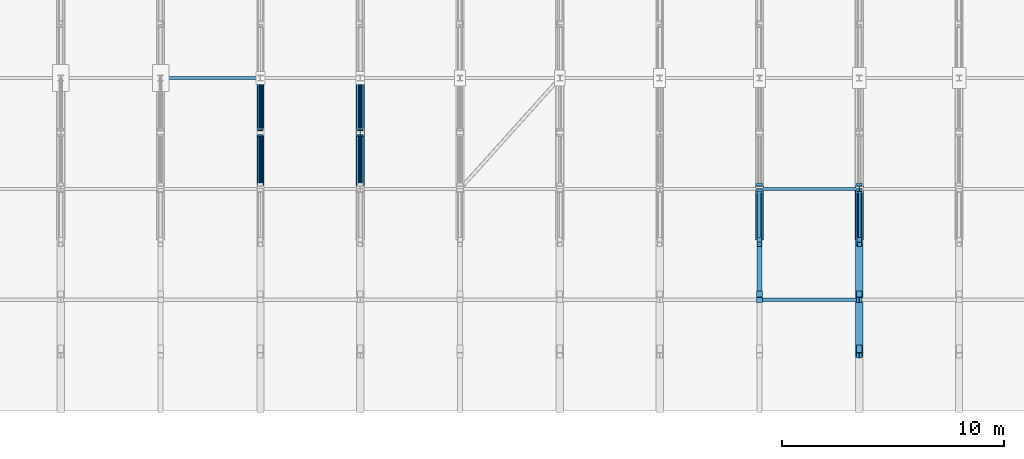
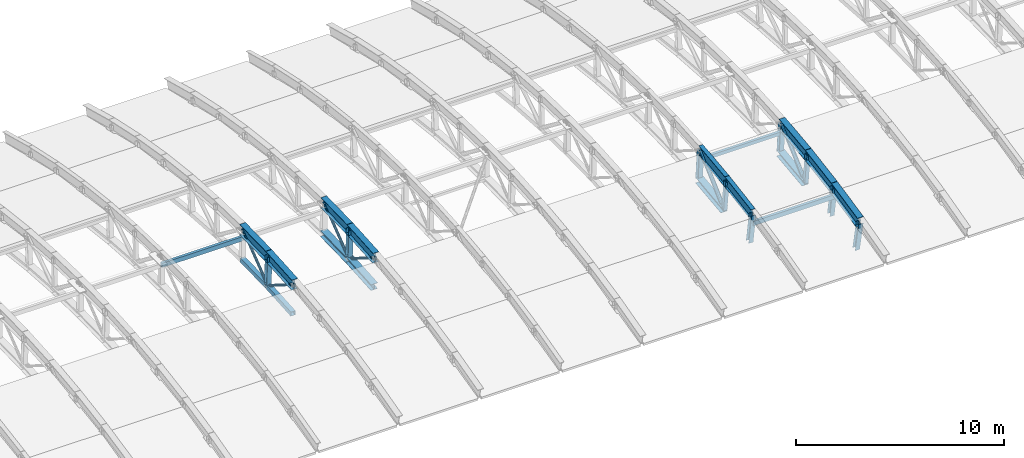
# One storey, part 17 of 53: 24 members, 9 beams.
"""IFC4 building model written with IfcOpenShell, lengths in metres."""

from ifc_helpers import new_model, si_unit, direction, frame, origin, origin_2d, place, context, subcontext, project, spatial, hollow_rectangle, hollow_circle, i_section, extrude, material, material_profile, profile_set, type_object, element, save


model = new_model("IFC4")

# Units and contexts
model_context = context("Model", 3, precision=1e-05, world=origin(), true_north=direction((0.0, 1.0)))
body_context = subcontext(model_context, "Body", "Model", "MODEL_VIEW")
ifc_project = project(units=[si_unit("LENGTHUNIT", "METRE"), si_unit("AREAUNIT", "SQUARE_METRE"), si_unit("VOLUMEUNIT", "CUBIC_METRE"), si_unit("PLANEANGLEUNIT", "RADIAN"), si_unit("MASSUNIT", "GRAM", prefix="KILO")], contexts=[model_context])

# Site, building, storey
site_placement = place(None, origin())
site = spatial("IfcSite", under=ifc_project, at=site_placement, CompositionType="ELEMENT")
building_placement = place(site_placement, origin())
building = spatial("IfcBuilding", under=site, at=building_placement, Name="Cazmaro Siding Exhibition Halls", CompositionType="ELEMENT")
storey_placement = place(building_placement, frame((0.0, 0.0, 21.0)))
storey = spatial("IfcBuildingStorey", under=building, at=storey_placement, Name="L04", CompositionType="ELEMENT", Elevation=21.0)

# Beams
ifc_material_1 = material(Name="Steel ASTM A992 Grade 50", Category="steel")
ifc_material_profile_1 = material_profile(ifc_material_1, i_section(OverallWidth=0.327880859375, OverallDepth=0.626953125, WebThickness=0.01708984375, FlangeThickness=0.028076171875, at=origin_2d()), Name="W24X146")
ifc_profile_set_1 = profile_set([ifc_material_profile_1], Name="Steel ASTM A992 Grade 50")
beam_type_1 = type_object("IfcBeamType", Name="AR-01", PredefinedType="USERDEFINED", material=ifc_profile_set_1)
beam_1_placement = place(storey_placement, frame((99.0, 89.0, 2.26611328125), z_axis=(0.0, 0.997537204184, 0.070139334669), x_axis=(-1.0, 0.0, 0.0)))
element("IfcBeam", 1, at=beam_1_placement, inside=storey, type_object=beam_type_1, Name="Space frame barrel vault arched rib AR-01 BM-0833", ObjectType="ARCHED RIB", PredefinedType="USERDEFINED", context=body_context, shape_type="SweptSolid", body=[
    extrude(i_section(OverallWidth=0.327880859375, OverallDepth=0.626953125, WebThickness=0.01708984375, FlangeThickness=0.028076171875, at=origin_2d()), origin(), (0.0, 0.0, 1.0), 2.506103515625),
])
beam_2_placement = place(storey_placement, frame((99.0, 91.5, 2.44189453125), z_axis=(0.0, 0.999730009742, 0.023235912336), x_axis=(-1.0, 0.0, 0.0)))
element("IfcBeam", 2, at=beam_2_placement, inside=storey, type_object=beam_type_1, Name="Space frame barrel vault arched rib AR-01 BM-0834", ObjectType="ARCHED RIB", PredefinedType="USERDEFINED", context=body_context, shape_type="SweptSolid", body=[
    extrude(i_section(OverallWidth=0.327880859375, OverallDepth=0.626953125, WebThickness=0.01708984375, FlangeThickness=0.028076171875, at=origin_2d()), origin(), (0.0, 0.0, 1.0), 2.500732421875),
])
beam_3_placement = place(storey_placement, frame((126.0, 81.5, 1.02001953125), z_axis=(0.0, 0.977710100146, 0.209959424826), x_axis=(-1.0, 0.0, 0.0)))
element("IfcBeam", 3, at=beam_3_placement, inside=storey, type_object=beam_type_1, Name="Space frame barrel vault arched rib AR-01 BM-0974", ObjectType="ARCHED RIB", PredefinedType="USERDEFINED", context=body_context, shape_type="SweptSolid", body=[
    extrude(i_section(OverallWidth=0.327880859375, OverallDepth=0.626953125, WebThickness=0.01708984375, FlangeThickness=0.028076171875, at=origin_2d()), origin(), (0.0, 0.0, 1.0), 2.556884765625),
])
beam_4_placement = place(storey_placement, frame((126.0, 84.0, 1.556884765625), z_axis=(0.0, 0.98649787474, 0.163774061236), x_axis=(-1.0, 0.0, 0.0)))
element("IfcBeam", 4, at=beam_4_placement, inside=storey, type_object=beam_type_1, Name="Space frame barrel vault arched rib AR-01 BM-0975", ObjectType="ARCHED RIB", PredefinedType="USERDEFINED", context=body_context, shape_type="SweptSolid", body=[
    extrude(i_section(OverallWidth=0.327880859375, OverallDepth=0.626953125, WebThickness=0.01708984375, FlangeThickness=0.028076171875, at=origin_2d()), origin(), (0.0, 0.0, 1.0), 2.5341796875),
])
beam_5_placement = place(storey_placement, frame((126.0, 86.5, 1.971923828125), z_axis=(0.0, 0.993147293786, 0.116869383693), x_axis=(-1.0, 0.0, 0.0)))
element("IfcBeam", 5, at=beam_5_placement, inside=storey, type_object=beam_type_1, Name="Space frame barrel vault arched rib AR-01 BM-0976", ObjectType="ARCHED RIB", PredefinedType="USERDEFINED", context=body_context, shape_type="SweptSolid", body=[
    extrude(i_section(OverallWidth=0.327880859375, OverallDepth=0.626953125, WebThickness=0.01708984375, FlangeThickness=0.028076171875, at=origin_2d()), origin(), (0.0, 0.0, 1.0), 2.517333984375),
])
ifc_material_2 = material(Name="Steel ASTM A992 Grade 50", Category="steel")
ifc_material_profile_2 = material_profile(ifc_material_2, i_section(OverallWidth=0.324951171875, OverallDepth=0.612060546875, WebThickness=0.012939453125, FlangeThickness=0.01904296875, at=origin_2d()), Name="W24X104")
ifc_profile_set_2 = profile_set([ifc_material_profile_2], Name="Steel ASTM A992 Grade 50")
beam_type_2 = type_object("IfcBeamType", Name="AR-02", PredefinedType="USERDEFINED", material=ifc_profile_set_2)
beam_6_placement = place(storey_placement, frame((103.5, 89.0, 2.26611328125), z_axis=(0.0, 0.997537204184, 0.070139334669), x_axis=(-1.0, 0.0, 0.0)))
element("IfcBeam", 6, at=beam_6_placement, inside=storey, type_object=beam_type_2, Name="Space frame barrel vault arched rib AR-02 BM-0857", ObjectType="ARCHED RIB", PredefinedType="USERDEFINED", context=body_context, shape_type="SweptSolid", body=[
    extrude(i_section(OverallWidth=0.324951171875, OverallDepth=0.612060546875, WebThickness=0.012939453125, FlangeThickness=0.01904296875, at=origin_2d()), origin(), (0.0, 0.0, 1.0), 2.506103515625),
])
beam_7_placement = place(storey_placement, frame((103.5, 91.5, 2.44189453125), z_axis=(0.0, 0.999730009742, 0.023235912336), x_axis=(-1.0, 0.0, 0.0)))
element("IfcBeam", 7, at=beam_7_placement, inside=storey, type_object=beam_type_2, Name="Space frame barrel vault arched rib AR-02 BM-0858", ObjectType="ARCHED RIB", PredefinedType="USERDEFINED", context=body_context, shape_type="SweptSolid", body=[
    extrude(i_section(OverallWidth=0.324951171875, OverallDepth=0.612060546875, WebThickness=0.012939453125, FlangeThickness=0.01904296875, at=origin_2d()), origin(), (0.0, 0.0, 1.0), 2.500732421875),
])
ifc_material_3 = material(Name="Steel ASTM A992 Grade 50", Category="steel")
ifc_material_profile_3 = material_profile(ifc_material_3, i_section(OverallWidth=0.22900390625, OverallDepth=0.612060546875, WebThickness=0.011962890625, FlangeThickness=0.02001953125, at=origin_2d()), Name="W24X84")
ifc_profile_set_3 = profile_set([ifc_material_profile_3], Name="Steel ASTM A992 Grade 50")
beam_type_3 = type_object("IfcBeamType", Name="AR-03", PredefinedType="USERDEFINED", material=ifc_profile_set_3)
beam_8_placement = place(storey_placement, frame((121.5, 84.0, 1.556884765625), z_axis=(0.0, 0.98649787474, 0.163774061236), x_axis=(-1.0, 0.0, 0.0)))
element("IfcBeam", 8, at=beam_8_placement, inside=storey, type_object=beam_type_3, Name="Space frame barrel vault arched rib AR-03 BM-0951", ObjectType="ARCHED RIB", PredefinedType="USERDEFINED", context=body_context, shape_type="SweptSolid", body=[
    extrude(i_section(OverallWidth=0.22900390625, OverallDepth=0.612060546875, WebThickness=0.011962890625, FlangeThickness=0.02001953125, at=origin_2d()), origin(), (0.0, 0.0, 1.0), 2.5341796875),
])
beam_9_placement = place(storey_placement, frame((121.5, 86.5, 1.971923828125), z_axis=(0.0, 0.993147293786, 0.116869383693), x_axis=(-1.0, 0.0, 0.0)))
element("IfcBeam", 9, at=beam_9_placement, inside=storey, type_object=beam_type_3, Name="Space frame barrel vault arched rib AR-03 BM-0952", ObjectType="ARCHED RIB", PredefinedType="USERDEFINED", context=body_context, shape_type="SweptSolid", body=[
    extrude(i_section(OverallWidth=0.22900390625, OverallDepth=0.612060546875, WebThickness=0.011962890625, FlangeThickness=0.02001953125, at=origin_2d()), origin(), (0.0, 0.0, 1.0), 2.517333984375),
])

# Members
ifc_material_4 = material(Name="Steel ASTM A500 Grade C", Category="steel")
ifc_material_profile_4 = material_profile(ifc_material_4, hollow_rectangle(XDim=0.152099609375, YDim=0.202880859375, WallThickness=0.011962890625, at=origin_2d()), Name="HSS8X6X1/2")
ifc_profile_set_4 = profile_set([ifc_material_profile_4], Name="Steel ASTM A500 Grade C")
member_type_1 = type_object("IfcMemberType", Name="RP-01", PredefinedType="PURLIN", material=ifc_profile_set_4)
member_1_placement = place(storey_placement, frame((121.5, 89.0, 1.72607421875), z_axis=(1.0, 0.0, 0.0), x_axis=(0.0, 1.0, 0.0)))
element("IfcMember", 10, at=member_1_placement, inside=storey, type_object=member_type_1, Name="Space frame barrel vault purlin RP-01 MEM-2173", PredefinedType="PURLIN", context=body_context, shape_type="SweptSolid", body=[
    extrude(hollow_rectangle(XDim=0.152099609375, YDim=0.202880859375, WallThickness=0.011962890625, at=origin_2d()), origin(), (0.0, 0.0, 1.0), 4.5),
])
ifc_material_5 = material(Name="Steel ASTM A500 Grade C", Category="steel")
ifc_material_profile_5 = material_profile(ifc_material_5, hollow_rectangle(XDim=0.152099609375, YDim=0.25390625, WallThickness=0.011962890625, at=origin_2d()), Name="HSS10X6X1/2")
ifc_profile_set_5 = profile_set([ifc_material_profile_5], Name="Steel ASTM A500 Grade C")
member_type_2 = type_object("IfcMemberType", Name="RP-04", PredefinedType="PURLIN", material=ifc_profile_set_5)
for number, where, z_axis, x_axis, name in (
    (11, (94.5, 94.0, 1.9599609375), (1.0, 0.0, 0.0), (0.0, 1.0, 0.0), "Space frame barrel vault purlin RP-04 MEM-2102"),
    (12, (121.5, 84.0, 1.01708984375), (1.0, 0.0, 0.0), (0.0, 1.0, 0.0), "Space frame barrel vault purlin RP-04 MEM-2172"),
):
    element("IfcMember", number, at=place(storey_placement, frame(where, z_axis=z_axis, x_axis=x_axis)), inside=storey, type_object=member_type_2, Name=name, PredefinedType="PURLIN", context=body_context, shape_type="SweptSolid", body=[
        extrude(hollow_rectangle(XDim=0.152099609375, YDim=0.25390625, WallThickness=0.011962890625, at=origin_2d()), origin(), (0.0, 0.0, 1.0), 4.5),
    ])
ifc_material_6 = material(Name="Steel ASTM A500 Grade C", Category="steel")
ifc_material_profile_6 = material_profile(ifc_material_6, hollow_rectangle(XDim=0.25390625, YDim=0.25390625, WallThickness=0.014892578125, at=origin_2d()), Name="HSS10X10X5/8")
ifc_profile_set_6 = profile_set([ifc_material_profile_6], Name="Steel ASTM A500 Grade C")
member_type_3 = type_object("IfcMemberType", Name="TC-01", PredefinedType="CHORD", material=ifc_profile_set_6)
member_2_placement = place(storey_placement, frame((99.0, 89.139892578125, 0.472900390625), z_axis=(0.0, 0.997529419526, 0.070249962135), x_axis=(-1.0, 0.0, 0.0)))
element("IfcMember", 13, at=member_2_placement, inside=storey, type_object=member_type_3, Name="Space frame barrel vault bottom chord TC-01 MEM-0825", PredefinedType="CHORD", context=body_context, shape_type="SweptSolid", body=[
    extrude(hollow_rectangle(XDim=0.25390625, YDim=0.25390625, WallThickness=0.014892578125, at=origin_2d()), origin(), (0.0, 0.0, 1.0), 2.436279296875),
])
member_3_placement = place(storey_placement, frame((99.0, 91.570068359375, 0.64404296875), z_axis=(0.0, 0.99973541783, 0.023002050707), x_axis=(-1.0, 0.0, 0.0)))
element("IfcMember", 14, at=member_3_placement, inside=storey, type_object=member_type_3, Name="Space frame barrel vault bottom chord TC-01 MEM-0827", PredefinedType="CHORD", context=body_context, shape_type="SweptSolid", body=[
    extrude(hollow_rectangle(XDim=0.25390625, YDim=0.25390625, WallThickness=0.014892578125, at=origin_2d()), origin(), (0.0, 0.0, 1.0), 2.4306640625),
])
ifc_material_7 = material(Name="Steel ASTM A992 Grade 50", Category="steel")
ifc_material_profile_7 = material_profile(ifc_material_7, i_section(OverallWidth=0.37109375, OverallDepth=0.364013671875, WebThickness=0.012939453125, FlangeThickness=0.02197265625, at=origin_2d()), Name="W14X109")
ifc_profile_set_7 = profile_set([ifc_material_profile_7], Name="Steel ASTM A992 Grade 50")
member_type_4 = type_object("IfcMemberType", Name="TC-06", PredefinedType="CHORD", material=ifc_profile_set_7)
member_4_placement = place(storey_placement, frame((103.5, 89.139892578125, 0.472900390625), z_axis=(0.0, 0.997529419526, 0.070249962135), x_axis=(-1.0, 0.0, 0.0)))
element("IfcMember", 15, at=member_4_placement, inside=storey, type_object=member_type_4, Name="Space frame barrel vault bottom chord TC-06 MEM-0896", PredefinedType="CHORD", context=body_context, shape_type="SweptSolid", body=[
    extrude(i_section(OverallWidth=0.37109375, OverallDepth=0.364013671875, WebThickness=0.012939453125, FlangeThickness=0.02197265625, at=origin_2d()), origin(), (0.0, 0.0, 1.0), 2.436279296875),
])
member_5_placement = place(storey_placement, frame((103.5, 91.570068359375, 0.64404296875), z_axis=(0.0, 0.99973541783, 0.023002050707), x_axis=(-1.0, 0.0, 0.0)))
element("IfcMember", 16, at=member_5_placement, inside=storey, type_object=member_type_4, Name="Space frame barrel vault bottom chord TC-06 MEM-0898", PredefinedType="CHORD", context=body_context, shape_type="SweptSolid", body=[
    extrude(i_section(OverallWidth=0.37109375, OverallDepth=0.364013671875, WebThickness=0.012939453125, FlangeThickness=0.02197265625, at=origin_2d()), origin(), (0.0, 0.0, 1.0), 2.4306640625),
])
for number, where, z_axis, x_axis, name in (
    (17, (121.5, 86.7099609375, 0.18701171875), (0.0, 0.993149923187, 0.116847037079), (-1.0, 0.0, 0.0), "Space frame barrel vault bottom chord TC-06 MEM-1178"),
    (18, (126.0, 86.7099609375, 0.18701171875), (0.0, 0.993149923187, 0.116847037079), (-1.0, 0.0, 0.0), "Space frame barrel vault bottom chord TC-06 MEM-1249"),
):
    element("IfcMember", number, at=place(storey_placement, frame(where, z_axis=z_axis, x_axis=x_axis)), inside=storey, type_object=member_type_4, Name=name, PredefinedType="CHORD", context=body_context, shape_type="SweptSolid", body=[
        extrude(i_section(OverallWidth=0.37109375, OverallDepth=0.364013671875, WebThickness=0.012939453125, FlangeThickness=0.02197265625, at=origin_2d()), origin(), (0.0, 0.0, 1.0), 2.44677734375),
    ])
ifc_material_8 = material(Name="Steel ASTM A500 Grade C", Category="steel")
ifc_material_profile_8 = material_profile(ifc_material_8, hollow_rectangle(XDim=0.202880859375, YDim=0.202880859375, WallThickness=0.011962890625, at=origin_2d()), Name="HSS8X8X1/2")
ifc_profile_set_8 = profile_set([ifc_material_profile_8], Name="Steel ASTM A500 Grade C")
member_type_5 = type_object("IfcMemberType", Name="TP-01", PredefinedType="POST", material=ifc_profile_set_8)
for number, where, z_axis, x_axis, name in (
    (19, (121.5, 86.7099609375, 0.18701171875), (0.0, -0.116825484133, 0.993152458718), (1.0, 0.0, 0.0), "Space frame barrel vault post TP-01 MEM-1216"),
    (20, (126.0, 86.7099609375, 0.18701171875), (0.0, -0.116825484133, 0.993152458718), (1.0, 0.0, 0.0), "Space frame barrel vault post TP-01 MEM-1287"),
):
    element("IfcMember", number, at=place(storey_placement, frame(where, z_axis=z_axis, x_axis=x_axis)), inside=storey, type_object=member_type_5, Name=name, PredefinedType="POST", context=body_context, shape_type="SweptSolid", body=[
        extrude(hollow_rectangle(XDim=0.202880859375, YDim=0.202880859375, WallThickness=0.011962890625, at=origin_2d()), origin(), (0.0, 0.0, 1.0), 1.797119140625),
    ])
ifc_material_9 = material(Name="Steel ASTM A992 Grade 50", Category="steel")
ifc_material_profile_9 = material_profile(ifc_material_9, i_section(OverallWidth=0.25390625, OverallDepth=0.25390625, WebThickness=0.009033203125, FlangeThickness=0.013916015625, at=origin_2d()), Name="W10X49")
ifc_profile_set_9 = profile_set([ifc_material_profile_9], Name="Steel ASTM A992 Grade 50")
member_type_6 = type_object("IfcMemberType", Name="TP-04", PredefinedType="POST", material=ifc_profile_set_9)
for number, where, z_axis, x_axis, name in (
    (21, (99.0, 91.570068359375, 0.64404296875), (0.0, -0.038943818889, 0.999241401749), (1.0, 0.0, 0.0), "Space frame barrel vault post TP-04 MEM-0863"),
    (22, (103.5, 91.570068359375, 0.64404296875), (0.0, -0.038943818889, 0.999241401749), (1.0, 0.0, 0.0), "Space frame barrel vault post TP-04 MEM-0934"),
):
    element("IfcMember", number, at=place(storey_placement, frame(where, z_axis=z_axis, x_axis=x_axis)), inside=storey, type_object=member_type_6, Name=name, PredefinedType="POST", context=body_context, shape_type="SweptSolid", body=[
        extrude(i_section(OverallWidth=0.25390625, OverallDepth=0.25390625, WebThickness=0.009033203125, FlangeThickness=0.013916015625, at=origin_2d()), origin(), (0.0, 0.0, 1.0), 1.79931640625),
    ])
member_6_placement = place(storey_placement, frame((121.5, 84.280029296875, -0.217041015625), z_axis=(0.0, -0.155927668857, 0.987768475952), x_axis=(1.0, 0.0, 0.0)))
element("IfcMember", 23, at=member_6_placement, inside=storey, type_object=member_type_6, Name="Space frame barrel vault post TP-04 MEM-1215", PredefinedType="POST", context=body_context, shape_type="SweptSolid", body=[
    extrude(i_section(OverallWidth=0.25390625, OverallDepth=0.25390625, WebThickness=0.009033203125, FlangeThickness=0.013916015625, at=origin_2d()), origin(), (0.0, 0.0, 1.0), 1.7958984375),
])
member_7_placement = place(storey_placement, frame((121.5, 89.139892578125, 0.472900390625), z_axis=(0.0, -0.077775943468, 0.996970863475), x_axis=(1.0, 0.0, 0.0)))
element("IfcMember", 24, at=member_7_placement, inside=storey, type_object=member_type_6, Name="Space frame barrel vault post TP-04 MEM-1217", PredefinedType="POST", context=body_context, shape_type="SweptSolid", body=[
    extrude(i_section(OverallWidth=0.25390625, OverallDepth=0.25390625, WebThickness=0.009033203125, FlangeThickness=0.013916015625, at=origin_2d()), origin(), (0.0, 0.0, 1.0), 1.798583984375),
])
member_8_placement = place(storey_placement, frame((126.0, 81.85009765625, -0.739013671875), z_axis=(0.0, -0.195199839578, 0.980763489649), x_axis=(1.0, 0.0, 0.0)))
element("IfcMember", 25, at=member_8_placement, inside=storey, type_object=member_type_6, Name="Space frame barrel vault post TP-04 MEM-1285", PredefinedType="POST", context=body_context, shape_type="SweptSolid", body=[
    extrude(i_section(OverallWidth=0.25390625, OverallDepth=0.25390625, WebThickness=0.009033203125, FlangeThickness=0.013916015625, at=origin_2d()), origin(), (0.0, 0.0, 1.0), 1.79345703125),
])
member_9_placement = place(storey_placement, frame((126.0, 84.280029296875, -0.217041015625), z_axis=(0.0, -0.155927668857, 0.987768475952), x_axis=(1.0, 0.0, 0.0)))
element("IfcMember", 26, at=member_9_placement, inside=storey, type_object=member_type_6, Name="Space frame barrel vault post TP-04 MEM-1286", PredefinedType="POST", context=body_context, shape_type="SweptSolid", body=[
    extrude(i_section(OverallWidth=0.25390625, OverallDepth=0.25390625, WebThickness=0.009033203125, FlangeThickness=0.013916015625, at=origin_2d()), origin(), (0.0, 0.0, 1.0), 1.7958984375),
])
member_10_placement = place(storey_placement, frame((126.0, 89.139892578125, 0.472900390625), z_axis=(0.0, -0.077775943468, 0.996970863475), x_axis=(1.0, 0.0, 0.0)))
element("IfcMember", 27, at=member_10_placement, inside=storey, type_object=member_type_6, Name="Space frame barrel vault post TP-04 MEM-1288", PredefinedType="POST", context=body_context, shape_type="SweptSolid", body=[
    extrude(i_section(OverallWidth=0.25390625, OverallDepth=0.25390625, WebThickness=0.009033203125, FlangeThickness=0.013916015625, at=origin_2d()), origin(), (0.0, 0.0, 1.0), 1.798583984375),
])
ifc_material_10 = material(Name="Steel ASTM A500 Grade C", Category="steel")
ifc_material_profile_10 = material_profile(ifc_material_10, hollow_circle(Radius=0.109619140625, WallThickness=0.012939453125, at=origin_2d()), Name="PIPE8XS")
ifc_profile_set_10 = profile_set([ifc_material_profile_10], Name="Steel ASTM A500 Grade C")
member_type_7 = type_object("IfcMemberType", Name="WB-01", PredefinedType="BRACE", material=ifc_profile_set_10)
for number, where, z_axis, x_axis, name in (
    (28, (121.5, 86.7099609375, 0.18701171875), (0.0, 0.740382789782, 0.672185483772), (-1.0, 0.0, 0.0), "Space frame barrel vault diagonal WB-01 MEM-1179"),
    (29, (126.0, 86.7099609375, 0.18701171875), (0.0, 0.740382789782, 0.672185483772), (-1.0, 0.0, 0.0), "Space frame barrel vault diagonal WB-01 MEM-1250"),
):
    element("IfcMember", number, at=place(storey_placement, frame(where, z_axis=z_axis, x_axis=x_axis)), inside=storey, type_object=member_type_7, Name=name, PredefinedType="BRACE", context=body_context, shape_type="SweptSolid", body=[
        extrude(hollow_circle(Radius=0.109619140625, WallThickness=0.012939453125, at=origin_2d()), origin(), (0.0, 0.0, 1.0), 3.093017578125),
    ])
ifc_material_11 = material(Name="Steel ASTM A500 Grade C", Category="steel")
ifc_material_profile_11 = material_profile(ifc_material_11, hollow_circle(Radius=0.070556640625, WallThickness=0.01904296875, at=origin_2d()), Name="PIPE5XXS")
ifc_profile_set_11 = profile_set([ifc_material_profile_11], Name="Steel ASTM A500 Grade C")
member_type_8 = type_object("IfcMemberType", Name="WB-07", PredefinedType="BRACE", material=ifc_profile_set_11)
member_11_placement = place(storey_placement, frame((99.0, 89.0, 2.26611328125), z_axis=(0.0, 0.84565684294, -0.533726993872), x_axis=(-1.0, 0.0, 0.0)))
element("IfcMember", 30, at=member_11_placement, inside=storey, type_object=member_type_8, Name="Space frame barrel vault diagonal WB-07 MEM-0826", PredefinedType="BRACE", context=body_context, shape_type="SweptSolid", body=[
    extrude(hollow_circle(Radius=0.070556640625, WallThickness=0.01904296875, at=origin_2d()), origin(), (0.0, 0.0, 1.0), 3.0390625),
])
member_12_placement = place(storey_placement, frame((99.0, 91.570068359375, 0.64404296875), z_axis=(0.0, 0.794708988455, 0.60699062898), x_axis=(-1.0, 0.0, 0.0)))
element("IfcMember", 31, at=member_12_placement, inside=storey, type_object=member_type_8, Name="Space frame barrel vault diagonal WB-07 MEM-0828", PredefinedType="BRACE", context=body_context, shape_type="SweptSolid", body=[
    extrude(hollow_circle(Radius=0.070556640625, WallThickness=0.01904296875, at=origin_2d()), origin(), (0.0, 0.0, 1.0), 3.0576171875),
])
member_13_placement = place(storey_placement, frame((103.5, 89.0, 2.26611328125), z_axis=(0.0, 0.84565684294, -0.533726993872), x_axis=(-1.0, 0.0, 0.0)))
element("IfcMember", 32, at=member_13_placement, inside=storey, type_object=member_type_8, Name="Space frame barrel vault diagonal WB-07 MEM-0897", PredefinedType="BRACE", context=body_context, shape_type="SweptSolid", body=[
    extrude(hollow_circle(Radius=0.070556640625, WallThickness=0.01904296875, at=origin_2d()), origin(), (0.0, 0.0, 1.0), 3.0390625),
])
member_14_placement = place(storey_placement, frame((103.5, 91.570068359375, 0.64404296875), z_axis=(0.0, 0.794708988455, 0.60699062898), x_axis=(-1.0, 0.0, 0.0)))
element("IfcMember", 33, at=member_14_placement, inside=storey, type_object=member_type_8, Name="Space frame barrel vault diagonal WB-07 MEM-0899", PredefinedType="BRACE", context=body_context, shape_type="SweptSolid", body=[
    extrude(hollow_circle(Radius=0.070556640625, WallThickness=0.01904296875, at=origin_2d()), origin(), (0.0, 0.0, 1.0), 3.0576171875),
])

save(model, "model.ifc")
